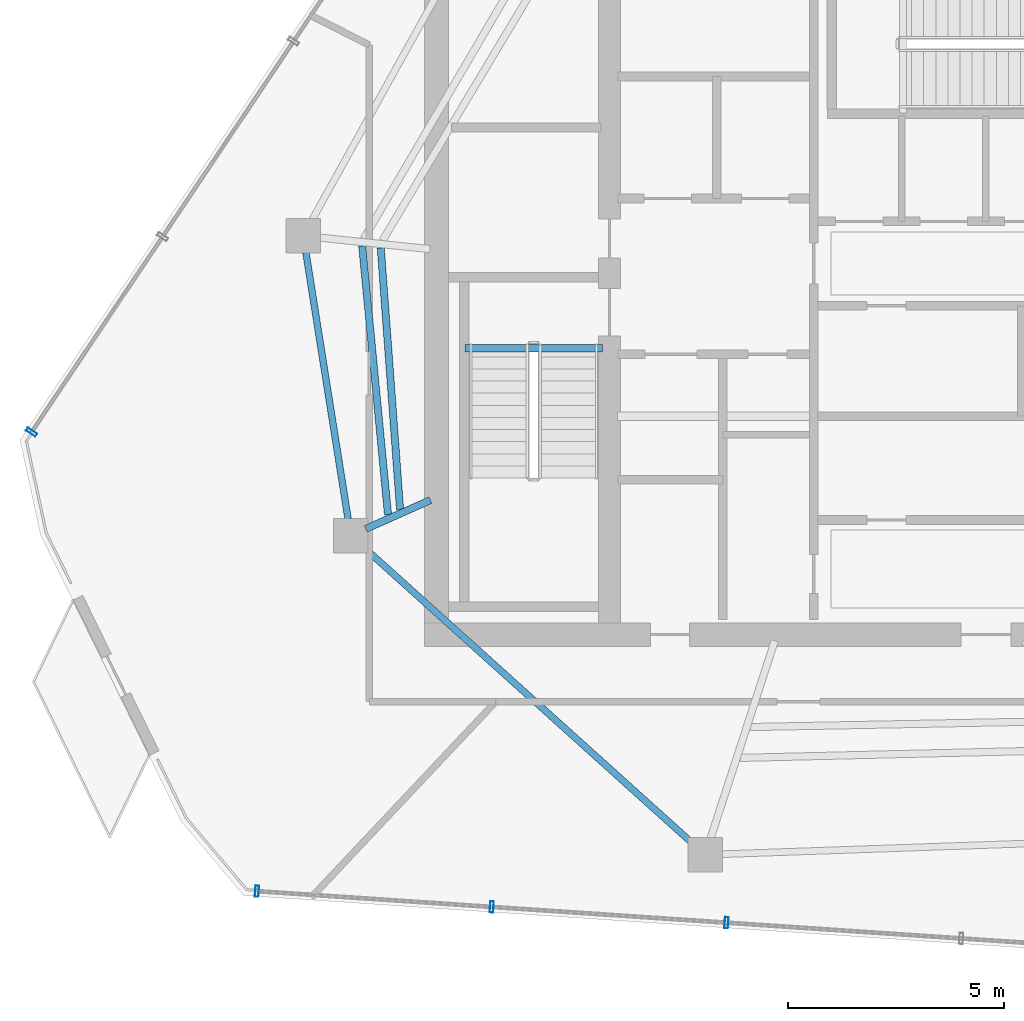
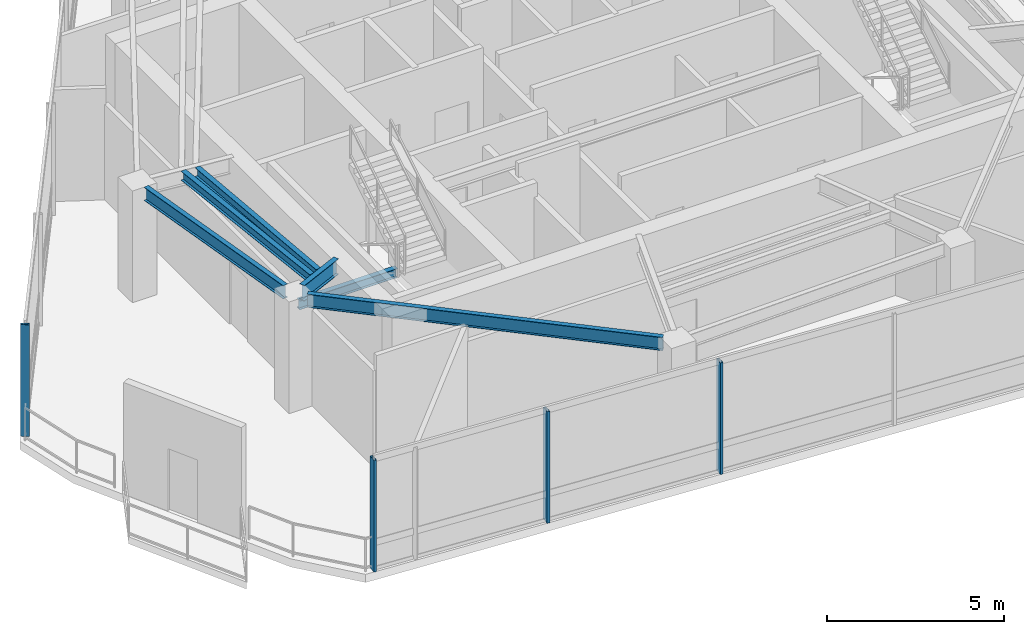
# One storey, part 2 of 18: 6 beams, 4 members, 2 elements without a shape of their own.
"""IFC4 building model written with IfcOpenShell, lengths in metres."""

from ifc_helpers import new_model, si_unit, direction, frame, origin, origin_2d, place, context, subcontext, project, spatial, hollow_rectangle, i_section, extrude, material, layer, layer_set, material_profile, profile_set, type_object, element, aggregate, save


model = new_model("IFC4")

# Units and contexts
model_context = context("Model", 3, precision=1e-05, world=origin(), true_north=direction((0.0, 1.0)))
body_context = subcontext(model_context, "Body", "Model", "MODEL_VIEW")
ifc_project = project(units=[si_unit("LENGTHUNIT", "METRE"), si_unit("AREAUNIT", "SQUARE_METRE"), si_unit("VOLUMEUNIT", "CUBIC_METRE"), si_unit("PLANEANGLEUNIT", "RADIAN"), si_unit("MASSUNIT", "GRAM", prefix="KILO")], contexts=[model_context])

# Site, building, storey
site_placement = place(None, origin())
site = spatial("IfcSite", under=ifc_project, at=site_placement, CompositionType="ELEMENT")
building_placement = place(site_placement, origin())
building = spatial("IfcBuilding", under=site, at=building_placement, Name="Qarnah Convention Tower", CompositionType="ELEMENT")
storey_placement = place(building_placement, frame((0.0, 0.0, 279.300048828125)))
storey = spatial("IfcBuildingStorey", under=building, at=storey_placement, Name="L75", CompositionType="ELEMENT", Elevation=279.300048828125)

# Beams
ifc_material_1 = material(Name="Structural steel S355JR", Category="steel")
ifc_material_profile_1 = material_profile(ifc_material_1, i_section(OverallWidth=0.166015625, OverallDepth=0.31201171875, WebThickness=0.007080078125, FlangeThickness=0.010986328125, at=origin_2d()), Name="W310X45")
ifc_profile_set_1 = profile_set([ifc_material_profile_1], Name="Structural steel S355JR")
beam_type_1 = type_object("IfcBeamType", Name="BM-JST-W310", PredefinedType="JOIST", material=ifc_profile_set_1)
beam_1_placement = place(storey_placement, frame((27.4599609375, 25.217041015625, -0.156005859375), z_axis=(1.0, 0.0, 0.0), x_axis=(0.0, 1.0, 0.0)))
element("IfcBeam", 1, at=beam_1_placement, inside=storey, type_object=beam_type_1, Name="L75 stair landing trimmer beam BM-L75-ST1-TRM", PredefinedType="BEAM", context=body_context, shape_type="SweptSolid", body=[
    extrude(i_section(OverallWidth=0.166015625, OverallDepth=0.31201171875, WebThickness=0.007080078125, FlangeThickness=0.010986328125, at=origin_2d()), origin(), (0.0, 0.0, 1.0), 3.179931640625),
])
beam_2_placement = place(storey_placement, frame((25.0859375, 27.583984375, 3.683837890625), z_axis=(0.095613342709, -0.995418549504, 0.0), x_axis=(0.995418549504, 0.095613342709, 0.0)))
element("IfcBeam", 2, at=beam_2_placement, inside=storey, type_object=beam_type_1, Name="L75 joist BM-L75-SJST-05", PredefinedType="JOIST", context=body_context, shape_type="SweptSolid", body=[
    extrude(i_section(OverallWidth=0.166015625, OverallDepth=0.31201171875, WebThickness=0.007080078125, FlangeThickness=0.010986328125, at=origin_2d()), origin(), (0.0, 0.0, 1.0), 6.24560546875),
])
beam_3_placement = place(storey_placement, frame((25.514892578125, 27.5390625, 3.683837890625), z_axis=(0.073698218425, -0.997280588702, 0.0), x_axis=(0.997280588702, 0.073698218425, 0.0)))
element("IfcBeam", 3, at=beam_3_placement, inside=storey, type_object=beam_type_1, Name="L75 joist BM-L75-IJST-05", PredefinedType="JOIST", context=body_context, shape_type="SweptSolid", body=[
    extrude(i_section(OverallWidth=0.166015625, OverallDepth=0.31201171875, WebThickness=0.007080078125, FlangeThickness=0.010986328125, at=origin_2d()), origin(), (0.0, 0.0, 1.0), 6.065673828125),
])
ifc_material_profile_2 = material_profile(ifc_material_1, i_section(OverallWidth=0.166015625, OverallDepth=0.535888671875, WebThickness=0.010009765625, FlangeThickness=0.01708984375, at=origin_2d()), Name="W530X85")
ifc_profile_set_2 = profile_set([ifc_material_profile_2], Name="Structural steel S355JR")
beam_type_2 = type_object("IfcBeamType", Name="BM-RAD-W530B", PredefinedType="BEAM", material=ifc_profile_set_2)
beam_4_placement = place(storey_placement, frame((26.6630859375, 21.708984375, 3.572021484375), z_axis=(-0.913688456795, -0.406415309652, 0.0), x_axis=(0.406415309652, -0.913688456795, 0.0)))
element("IfcBeam", 4, at=beam_4_placement, inside=storey, type_object=beam_type_2, Name="L75 beam BM-L75-RAD-06", PredefinedType="BEAM", context=body_context, shape_type="SweptSolid", body=[
    extrude(i_section(OverallWidth=0.166015625, OverallDepth=0.535888671875, WebThickness=0.010009765625, FlangeThickness=0.01708984375, at=origin_2d()), origin(), (0.0, 0.0, 1.0), 1.636474609375),
])
ifc_material_profile_3 = material_profile(ifc_material_1, i_section(OverallWidth=0.154052734375, OverallDepth=0.4599609375, WebThickness=0.009033203125, FlangeThickness=0.014892578125, at=origin_2d()), Name="W460X68")
ifc_profile_set_3 = profile_set([ifc_material_profile_3], Name="Structural steel S355JR")
beam_type_3 = type_object("IfcBeamType", Name="BM-SPN-W460B", PredefinedType="SPANDREL", material=ifc_profile_set_3)
beam_5_placement = place(storey_placement, frame((23.784912109375, 27.430908203125, 3.60986328125), z_axis=(0.156423110156, -0.987690138965, 0.0), x_axis=(0.987690138965, 0.156423110156, 0.0)))
element("IfcBeam", 5, at=beam_5_placement, inside=storey, type_object=beam_type_3, Name="L75 spandrel BM-L75-SPN-05", PredefinedType="SPANDREL", context=body_context, shape_type="SweptSolid", body=[
    extrude(i_section(OverallWidth=0.154052734375, OverallDepth=0.4599609375, WebThickness=0.009033203125, FlangeThickness=0.014892578125, at=origin_2d()), origin(), (0.0, 0.0, 1.0), 6.233642578125),
])
beam_6_placement = place(storey_placement, frame((25.111083984375, 20.6279296875, 3.60986328125), z_axis=(0.743130570512, -0.669146437762, 0.0), x_axis=(0.669146437762, 0.743130570512, 0.0)))
element("IfcBeam", 6, at=beam_6_placement, inside=storey, type_object=beam_type_3, Name="L75 spandrel BM-L75-SPN-06", PredefinedType="SPANDREL", context=body_context, shape_type="SweptSolid", body=[
    extrude(i_section(OverallWidth=0.154052734375, OverallDepth=0.4599609375, WebThickness=0.009033203125, FlangeThickness=0.014892578125, at=origin_2d()), origin(), (0.0, 0.0, 1.0), 10.242919921875),
])

# Curtain wall, member
ifc_material_2 = material(Name="Tempered Low-E dark glass", Category="glass")
ifc_layer = layer(ifc_material_2, 0.177978515625)
ifc_layer_set = layer_set([ifc_layer], Name="Tempered Low-E dark glass")
curtain_wall_type = type_object("IfcCurtainWallType", Name="CWS-06", PredefinedType="NOTDEFINED", material=ifc_layer_set)
curtain_wall_1_placement = place(storey_placement, origin())
curtain_wall_1 = element("IfcCurtainWall", 7, at=curtain_wall_1_placement, inside=storey, type_object=curtain_wall_type, Name="L75 unitised curtain wall CW-L75-F2", PredefinedType="NOTDEFINED")
ifc_material_3 = material(Name="Black anodised aluminium", Category="aluminium")
ifc_material_profile_4 = material_profile(ifc_material_3, hollow_rectangle(XDim=0.0849609375, YDim=0.260009765625, WallThickness=0.006103515625, at=origin_2d()), Name="MUL-85X260")
ifc_profile_set_4 = profile_set([ifc_material_profile_4], Name="Black anodised aluminium")
member_type = type_object("IfcMemberType", Name="MUL-T6", PredefinedType="MULLION", material=ifc_profile_set_4)
member_1_placement = place(storey_placement, frame((17.445068359375, 23.280029296875, 0.0), z_axis=(0.0, 0.0, 1.0), x_axis=(0.55685450921, 0.830610050247, 0.0)))
member_1 = element("IfcMember", 8, at=member_1_placement, type_object=member_type, Name="CW-L75-F2 mullion 1", PredefinedType="MULLION", context=body_context, shape_type="SweptSolid", body=[
    extrude(hollow_rectangle(XDim=0.0849609375, YDim=0.260009765625, WallThickness=0.006103515625, at=origin_2d()), origin(), (0.0, 0.0, 1.0), 3.83984375),
])
aggregate(curtain_wall_1, [member_1])

# Curtain wall, members
curtain_wall_2_placement = place(storey_placement, origin())
curtain_wall_2 = element("IfcCurtainWall", 9, at=curtain_wall_2_placement, inside=storey, type_object=curtain_wall_type, Name="L75 unitised curtain wall CW-L75-F3", PredefinedType="NOTDEFINED")
member_2_placement = place(storey_placement, frame((33.504638671875, 11.943603515625, 0.0), z_axis=(0.0, 0.0, 1.0), x_axis=(-0.997753961252, 0.066985317843, 0.0)))
member_2 = element("IfcMember", 10, at=member_2_placement, type_object=member_type, Name="CW-L75-F3 mullion 4", PredefinedType="MULLION", context=body_context, shape_type="SweptSolid", body=[
    extrude(hollow_rectangle(XDim=0.0849609375, YDim=0.260009765625, WallThickness=0.006103515625, at=origin_2d()), origin(), (0.0, 0.0, 1.0), 3.83984375),
])
member_3_placement = place(storey_placement, frame((28.079833984375, 12.307861328125, 0.0), z_axis=(0.0, 0.0, 1.0), x_axis=(-0.997753961252, 0.066985317843, 0.0)))
member_3 = element("IfcMember", 11, at=member_3_placement, type_object=member_type, Name="CW-L75-F3 mullion 5", PredefinedType="MULLION", context=body_context, shape_type="SweptSolid", body=[
    extrude(hollow_rectangle(XDim=0.0849609375, YDim=0.260009765625, WallThickness=0.006103515625, at=origin_2d()), origin(), (0.0, 0.0, 1.0), 3.83984375),
])
member_4_placement = place(storey_placement, frame((22.655029296875, 12.672119140625, 0.0), z_axis=(0.0, 0.0, 1.0), x_axis=(-0.997753961252, 0.066985317843, 0.0)))
member_4 = element("IfcMember", 12, at=member_4_placement, type_object=member_type, Name="CW-L75-F3 mullion 6", PredefinedType="MULLION", context=body_context, shape_type="SweptSolid", body=[
    extrude(hollow_rectangle(XDim=0.0849609375, YDim=0.260009765625, WallThickness=0.006103515625, at=origin_2d()), origin(), (0.0, 0.0, 1.0), 3.83984375),
])
aggregate(curtain_wall_2, [member_2, member_3, member_4])

save(model, "model.ifc")
